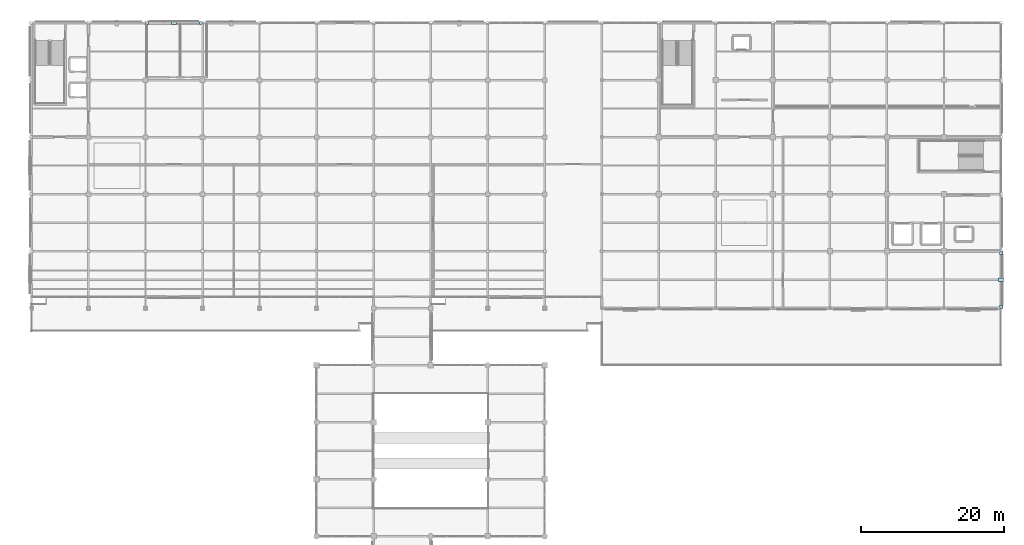
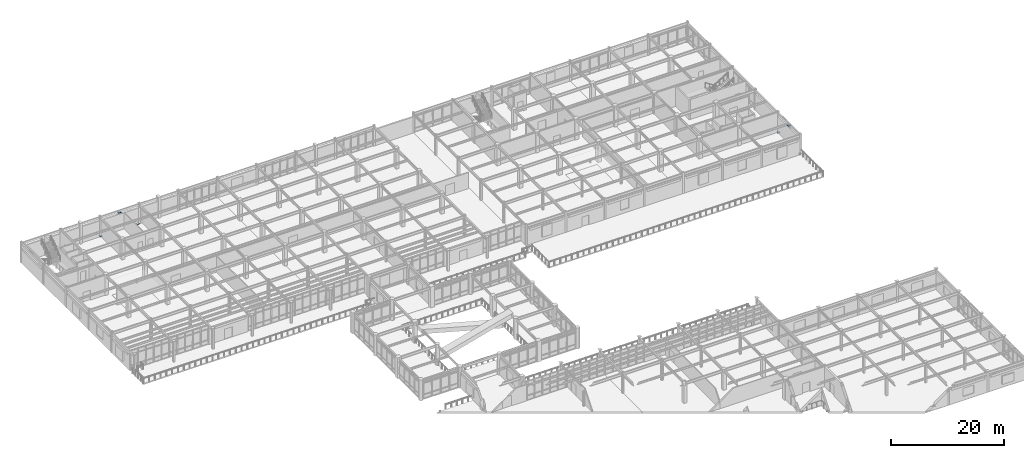
# One storey, part 82 of 111: 6 plates.
"""IFC4 building model written with IfcOpenShell, lengths in metres."""

from ifc_helpers import new_model, si_unit, direction, frame, origin, origin_2d, place, context, subcontext, project, spatial, rectangle, extrude, material, layer, layer_set, type_object, element, save


model = new_model("IFC4")

# Units and contexts
model_context = context("Model", 3, precision=1e-05, world=origin(), true_north=direction((0.0, 1.0)))
body_context = subcontext(model_context, "Body", "Model", "MODEL_VIEW")
ifc_project = project(units=[si_unit("LENGTHUNIT", "METRE"), si_unit("AREAUNIT", "SQUARE_METRE"), si_unit("VOLUMEUNIT", "CUBIC_METRE"), si_unit("PLANEANGLEUNIT", "RADIAN"), si_unit("MASSUNIT", "GRAM", prefix="KILO")], contexts=[model_context])

# Site, building, storey
site_placement = place(None, origin())
site = spatial("IfcSite", under=ifc_project, at=site_placement, CompositionType="ELEMENT")
building_placement = place(site_placement, origin())
building = spatial("IfcBuilding", under=site, at=building_placement, Name="Solmirada Galleria", CompositionType="ELEMENT")
storey_placement = place(building_placement, frame((0.0, 0.0, 10.39990234375)))
storey = spatial("IfcBuildingStorey", under=building, at=storey_placement, Name="L02", CompositionType="ELEMENT", Elevation=10.39990234375)

# Plates
ifc_material = material(Name="Steel S355 / ASTM A572 Grade 50", Category="steel")
ifc_layer_1 = layer(ifc_material, 0.028076171875)
ifc_layer_set_1 = layer_set([ifc_layer_1], Name="Steel S355 / ASTM A572 Grade 50")
plate_type_1 = type_object("IfcPlateType", Name="PLT-NODE-02", PredefinedType="SHEET", material=ifc_layer_set_1)
for number, where, z_axis, x_axis, name in (
    (1, (56.202880859375, 120.0, 0.005859375), (0.0, 0.0, 1.0), (1.0, 0.0, 0.0), "Braced frame gusset plate CBF-N1 L02 LA"),
    (2, (63.797119140625, 120.0, 0.005859375), (0.0, 0.0, 1.0), (1.0, 0.0, 0.0), "Braced frame gusset plate CBF-N1 L02 RA"),
    (3, (176.0, 80.177978515625, 0.005859375), (0.0, 0.0, 1.0), (1.0, 0.0, 0.0), "Braced frame gusset plate CBF-E1 L02 LA"),
    (4, (176.0, 87.797119140625, 0.005859375), (0.0, 0.0, 1.0), (1.0, 0.0, 0.0), "Braced frame gusset plate CBF-E1 L02 RA"),
):
    element("IfcPlate", number, at=place(storey_placement, frame(where, z_axis=z_axis, x_axis=x_axis)), inside=storey, type_object=plate_type_1, Name=name, PredefinedType="SHEET", context=body_context, shape_type="SweptSolid", body=[
        extrude(rectangle(XDim=0.47998046875, YDim=0.47998046875, at=origin_2d()), origin(), (0.0, 0.0, 1.0), 0.028076171875),
    ])
ifc_layer_2 = layer(ifc_material, 0.035888671875)
ifc_layer_set_2 = layer_set([ifc_layer_2], Name="Steel S355 / ASTM A572 Grade 50")
plate_type_2 = type_object("IfcPlateType", Name="PLT-NODE-04", PredefinedType="SHEET", material=ifc_layer_set_2)
for number, where, z_axis, x_axis, name in (
    (5, (60.0, 120.0, 3.80224609375), (0.0, 0.0, 1.0), (1.0, 0.0, 0.0), "Braced frame gusset plate CBF-N1 L02 AP"),
    (6, (176.0, 84.0, 3.80224609375), (0.0, 0.0, 1.0), (1.0, 0.0, 0.0), "Braced frame gusset plate CBF-E1 L02 AP"),
):
    element("IfcPlate", number, at=place(storey_placement, frame(where, z_axis=z_axis, x_axis=x_axis)), inside=storey, type_object=plate_type_2, Name=name, PredefinedType="SHEET", context=body_context, shape_type="SweptSolid", body=[
        extrude(rectangle(XDim=0.64990234375, YDim=0.449951171875, at=origin_2d()), origin(), (0.0, 0.0, 1.0), 0.035888671875),
    ])

save(model, "model.ifc")
